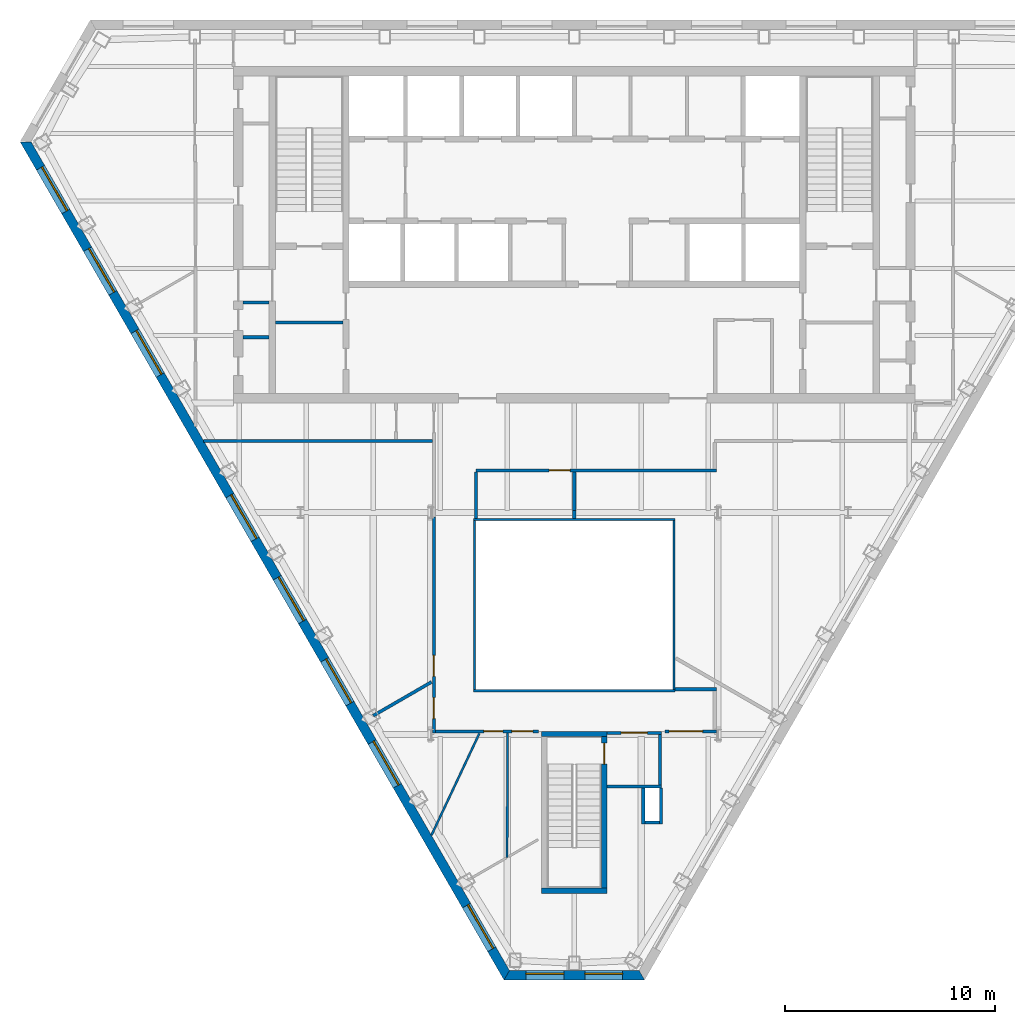
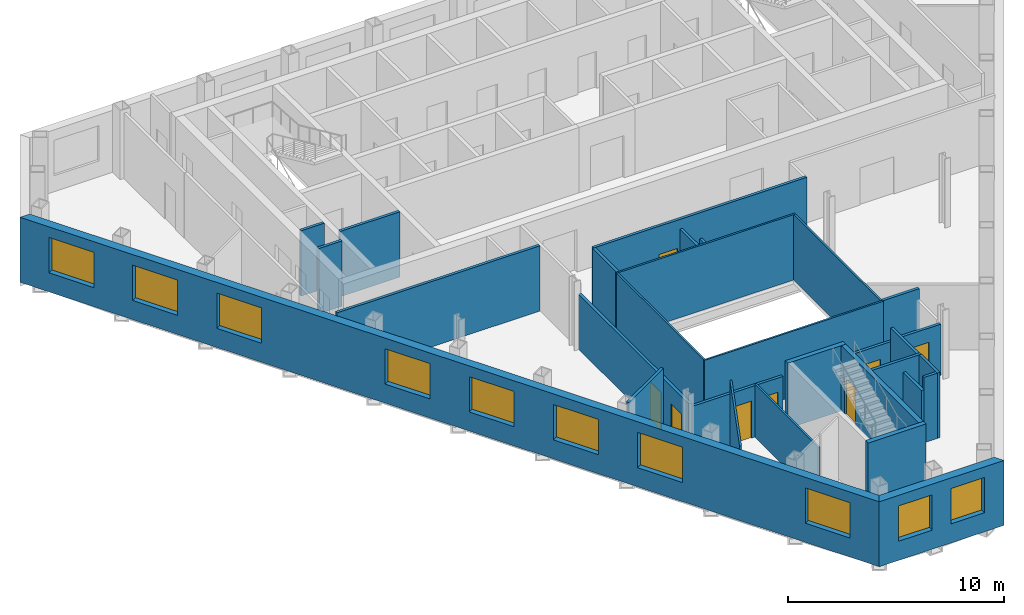
# One storey, part 4 of 10: 30 walls, 10 windows, 8 doors, 18 openings.
"""IFC4 building model written with IfcOpenShell, lengths in metres."""

from ifc_helpers import new_model, si_unit, direction, frame, frame_2d, origin, place, context, subcontext, project, spatial, polyline, rectangle, outline, extrude, material, layer, layer_set, type_object, element, fill, save


model = new_model("IFC4")

# Units and contexts
model_context = context("Model", 3, precision=1e-05, world=origin(), true_north=direction((0.0, 1.0)))
body_context = subcontext(model_context, "Body", "Model", "MODEL_VIEW")
ifc_project = project(units=[si_unit("LENGTHUNIT", "METRE"), si_unit("AREAUNIT", "SQUARE_METRE"), si_unit("VOLUMEUNIT", "CUBIC_METRE"), si_unit("PLANEANGLEUNIT", "RADIAN"), si_unit("MASSUNIT", "GRAM", prefix="KILO")], contexts=[model_context])

# Site, building, storey
site_placement = place(None, origin())
site = spatial("IfcSite", under=ifc_project, at=site_placement, CompositionType="ELEMENT")
building_placement = place(site_placement, origin())
building = spatial("IfcBuilding", under=site, at=building_placement, Name="Njiva Tower", CompositionType="ELEMENT")
storey_placement = place(building_placement, frame((0.0, 0.0, 227.7)))
storey = spatial("IfcBuildingStorey", under=building, at=storey_placement, Name="L51", CompositionType="ELEMENT", Elevation=227.7)

# Walls
ifc_material_1 = material(Name="Blockwork", Category="masonry")
ifc_layer_1 = layer(ifc_material_1, 0.15)
ifc_layer_set_1 = layer_set([ifc_layer_1], Name="Blockwork")
wall_type_1 = type_object("IfcWallType", Name="WT1 Compartment partition 150", PredefinedType="PARTITIONING", material=ifc_layer_set_1)
wall_1_placement = place(storey_placement, frame((-14.2, 5.825, 0.0), z_axis=(0.0, 0.0, 1.0), x_axis=(1.0, 0.0, 0.0)))
element("IfcWall", 1, at=wall_1_placement, inside=storey, type_object=wall_type_1, Name="Room wall A", PredefinedType="PARTITIONING", context=body_context, shape_type="SweptSolid", body=[
    extrude(rectangle(XDim=3.2, YDim=0.15, at=frame_2d((1.6, 0.0))), origin(), (0.0, 0.0, 1.0), 3.7),
])
wall_2_placement = place(storey_placement, frame((-15.75, 5.125, 0.0), z_axis=(0.0, 0.0, 1.0), x_axis=(1.0, 0.0, 0.0)))
element("IfcWall", 2, at=wall_2_placement, inside=storey, type_object=wall_type_1, Name="Partition strip W00", PredefinedType="PARTITIONING", context=body_context, shape_type="SweptSolid", body=[
    extrude(rectangle(XDim=1.25, YDim=0.15, at=frame_2d((0.625, 0.0))), origin(), (0.0, 0.0, 1.0), 3.7),
])
ifc_material_2 = material(Name="Gypsum board on steel studs", Category="gypsum")
ifc_layer_2 = layer(ifc_material_2, 0.1)
ifc_layer_set_2 = layer_set([ifc_layer_2], Name="Gypsum board on steel studs")
wall_type_2 = type_object("IfcWallType", Name="WT20 Gypsum partition 100", PredefinedType="PARTITIONING", material=ifc_layer_set_2)
wall_3_placement = place(storey_placement, frame((-6.789, -18.539, 0.0), z_axis=(0.0, 0.0, 1.0), x_axis=(0.425635061069, 0.904894908146, 0.0)))
element("IfcWall", 3, at=wall_3_placement, inside=storey, type_object=wall_type_2, Name="Partition S17-P008", PredefinedType="PARTITIONING", context=body_context, shape_type="SweptSolid", body=[
    extrude(rectangle(XDim=5.352, YDim=0.1, at=frame_2d((2.676, 0.0))), origin(), (0.0, 0.0, 1.0), 3.7),
])
wall_4_placement = place(storey_placement, frame((-3.192, -19.591, 0.0), z_axis=(0.0, 0.0, 1.0), x_axis=(0.003380643291, 0.999994285609, 0.0)))
element("IfcWall", 4, at=wall_4_placement, inside=storey, type_object=wall_type_2, Name="Partition S17-P014", PredefinedType="PARTITIONING", context=body_context, shape_type="SweptSolid", body=[
    extrude(rectangle(XDim=5.916, YDim=0.1, at=frame_2d((2.958, 0.0))), origin(), (0.0, 0.0, 1.0), 3.01),
])
ifc_layer_3 = layer(ifc_material_2, 0.15)
ifc_layer_set_3 = layer_set([ifc_layer_3], Name="Gypsum board on steel studs")
wall_type_3 = type_object("IfcWallType", Name="WT21 Compartment wall 150", PredefinedType="PARTITIONING", material=ifc_layer_set_3)
wall_5_placement = place(storey_placement, frame((-17.608, 0.2, 0.0), z_axis=(0.0, 0.0, 1.0), x_axis=(1.0, 0.0, 0.0)))
element("IfcWall", 5, at=wall_5_placement, inside=storey, type_object=wall_type_3, Name="Partition S17-P004", PredefinedType="PARTITIONING", context=body_context, shape_type="SweptSolid", body=[
    extrude(rectangle(XDim=10.863, YDim=0.15, at=frame_2d((5.4315, 0.0))), origin(), (0.0, 0.0, 1.0), 3.7),
])
wall_6_placement = place(storey_placement, frame((-9.552, -12.854, 0.0), z_axis=(0.0, 0.0, 1.0), x_axis=(0.865847012661, 0.500308855275, 0.0)))
element("IfcWall", 6, at=wall_6_placement, inside=storey, type_object=wall_type_3, Name="Partition S17-P006", PredefinedType="PARTITIONING", context=body_context, shape_type="SweptSolid", body=[
    extrude(rectangle(XDim=3.198, YDim=0.15, at=frame_2d((1.599, 0.0))), origin(), (0.0, 0.0, 1.0), 3.7),
])

# Wall, openings, doors
wall_7_placement = place(storey_placement, frame((-6.67, -13.675, 0.0), z_axis=(0.0, 0.0, 1.0), x_axis=(0.0, 1.0, 0.0)))
wall_7 = element("IfcWall", 7, at=wall_7_placement, inside=storey, type_object=wall_type_3, Name="Partition S17-P009", PredefinedType="PARTITIONING", context=body_context, shape_type="SweptSolid", body=[
    extrude(rectangle(XDim=10.263, YDim=0.15, at=frame_2d((5.1315, 0.0))), origin(), (0.0, 0.0, 1.0), 3.11),
])
opening_1_placement = place(wall_7_placement, frame((0.678, 0.0, 0.0)))
opening_1 = element("IfcOpeningElement", 8, at=opening_1_placement, cuts=wall_7, Name="Opening S17-D006", PredefinedType="OPENING", context=body_context, shape_type="SweptSolid", body=[
    extrude(rectangle(XDim=1.0, YDim=2.1, at=frame_2d((0.5, 1.05))), frame((0.0, 0.085, 0.0), z_axis=(0.0, -1.0, 0.0), x_axis=(1.0, 0.0, 0.0)), (0.0, 0.0, 1.0), 0.17),
])
opening_2_placement = place(wall_7_placement, frame((2.685, 0.0, 0.0)))
opening_2 = element("IfcOpeningElement", 9, at=opening_2_placement, cuts=wall_7, Name="Opening S17-D007", PredefinedType="OPENING", context=body_context, shape_type="SweptSolid", body=[
    extrude(rectangle(XDim=1.0, YDim=2.1, at=frame_2d((0.5, 1.05))), frame((0.0, 0.085, 0.0), z_axis=(0.0, -1.0, 0.0), x_axis=(1.0, 0.0, 0.0)), (0.0, 0.0, 1.0), 0.17),
])
ifc_material_3 = material(Name="Steel fire door set", Category="steel")
door_type_1 = type_object("IfcDoorType", Name="D37 Fire door 1000x2100", OperationType="SINGLE_SWING_LEFT", PredefinedType="DOOR", material=ifc_material_3)
door_1_placement = place(opening_1_placement, origin())
door_1 = element("IfcDoor", 10, at=door_1_placement, inside=storey, type_object=door_type_1, Name="Door S17-D006", OperationType="SINGLE_SWING_RIGHT", OverallHeight=2.1, OverallWidth=1.0, PredefinedType="DOOR", context=body_context, shape_type="SweptSolid", body=[
    extrude(rectangle(XDim=1.0, YDim=2.1, at=frame_2d((0.5, 1.05))), frame((0.0, 0.025, 0.0), z_axis=(0.0, -1.0, 0.0), x_axis=(1.0, 0.0, 0.0)), (0.0, 0.0, 1.0), 0.05),
])
fill(opening_1, door_1)
door_2_placement = place(opening_2_placement, origin())
door_2 = element("IfcDoor", 11, at=door_2_placement, inside=storey, type_object=door_type_1, Name="Door S17-D007", OperationType="SINGLE_SWING_RIGHT", OverallHeight=2.1, OverallWidth=1.0, PredefinedType="DOOR", context=body_context, shape_type="SweptSolid", body=[
    extrude(rectangle(XDim=1.0, YDim=2.1, at=frame_2d((0.5, 1.05))), frame((0.0, 0.025, 0.0), z_axis=(0.0, -1.0, 0.0), x_axis=(1.0, 0.0, 0.0)), (0.0, 0.0, 1.0), 0.05),
])
fill(opening_2, door_2)

wall_8_placement = place(storey_placement, frame((-6.595, -13.6, 0.0), z_axis=(0.0, 0.0, 1.0), x_axis=(1.0, 0.0, 0.0)))
wall_8 = element("IfcWall", 12, at=wall_8_placement, inside=storey, type_object=wall_type_3, Name="Partition S17-P010", PredefinedType="PARTITIONING", context=body_context, shape_type="SweptSolid", body=[
    extrude(rectangle(XDim=4.895, YDim=0.15, at=frame_2d((2.4475, 0.0))), origin(), (0.0, 0.0, 1.0), 2.91),
])
opening_3_placement = place(wall_8_placement, frame((2.297, 0.0, 0.0)))
opening_3 = element("IfcOpeningElement", 13, at=opening_3_placement, cuts=wall_8, Name="Opening S17-D009", PredefinedType="OPENING", context=body_context, shape_type="SweptSolid", body=[
    extrude(rectangle(XDim=0.9, YDim=2.1, at=frame_2d((0.45, 1.05))), frame((0.0, 0.085, 0.0), z_axis=(0.0, -1.0, 0.0), x_axis=(1.0, 0.0, 0.0)), (0.0, 0.0, 1.0), 0.17),
])
opening_4_placement = place(wall_8_placement, frame((3.623, 0.0, 0.0)))
opening_4 = element("IfcOpeningElement", 14, at=opening_4_placement, cuts=wall_8, Name="Opening S17-D010", PredefinedType="OPENING", context=body_context, shape_type="SweptSolid", body=[
    extrude(rectangle(XDim=1.0, YDim=2.1, at=frame_2d((0.5, 1.05))), frame((0.0, 0.085, 0.0), z_axis=(0.0, -1.0, 0.0), x_axis=(1.0, 0.0, 0.0)), (0.0, 0.0, 1.0), 0.17),
])
door_type_2 = type_object("IfcDoorType", Name="D36 Fire door 900x2100", OperationType="SINGLE_SWING_LEFT", PredefinedType="DOOR", material=ifc_material_3)
door_3_placement = place(opening_3_placement, origin())
door_3 = element("IfcDoor", 15, at=door_3_placement, inside=storey, type_object=door_type_2, Name="Door S17-D009", OperationType="SINGLE_SWING_RIGHT", OverallHeight=2.1, OverallWidth=0.9, PredefinedType="DOOR", context=body_context, shape_type="SweptSolid", body=[
    extrude(rectangle(XDim=0.9, YDim=2.1, at=frame_2d((0.45, 1.05))), frame((0.0, 0.025, 0.0), z_axis=(0.0, -1.0, 0.0), x_axis=(1.0, 0.0, 0.0)), (0.0, 0.0, 1.0), 0.05),
])
fill(opening_3, door_3)
door_4_placement = place(opening_4_placement, origin())
door_4 = element("IfcDoor", 16, at=door_4_placement, inside=storey, type_object=door_type_1, Name="Door S17-D010", OperationType="SINGLE_SWING_RIGHT", OverallHeight=2.1, OverallWidth=1.0, PredefinedType="DOOR", context=body_context, shape_type="SweptSolid", body=[
    extrude(rectangle(XDim=1.0, YDim=2.1, at=frame_2d((0.5, 1.05))), frame((0.0, 0.025, 0.0), z_axis=(0.0, -1.0, 0.0), x_axis=(1.0, 0.0, 0.0)), (0.0, 0.0, 1.0), 0.05),
])
fill(opening_4, door_4)

# Wall, opening, door
wall_9_placement = place(storey_placement, frame((-4.681, -1.2, 0.0), z_axis=(0.0, 0.0, 1.0), x_axis=(1.0, 0.0, 0.0)))
wall_9 = element("IfcWall", 17, at=wall_9_placement, inside=storey, type_object=wall_type_3, Name="Partition S17-P012", PredefinedType="PARTITIONING", context=body_context, shape_type="SweptSolid", body=[
    extrude(rectangle(XDim=11.426, YDim=0.15, at=frame_2d((5.713, 0.0))), origin(), (0.0, 0.0, 1.0), 3.7),
])
opening_5_placement = place(wall_9_placement, frame((3.481, 0.0, 0.0)))
opening_5 = element("IfcOpeningElement", 18, at=opening_5_placement, cuts=wall_9, Name="Opening S17-D011", PredefinedType="OPENING", context=body_context, shape_type="SweptSolid", body=[
    extrude(rectangle(XDim=1.0, YDim=2.1, at=frame_2d((0.5, 1.05))), frame((0.0, 0.085, 0.0), z_axis=(0.0, -1.0, 0.0), x_axis=(1.0, 0.0, 0.0)), (0.0, 0.0, 1.0), 0.17),
])
door_5_placement = place(opening_5_placement, origin())
door_5 = element("IfcDoor", 19, at=door_5_placement, inside=storey, type_object=door_type_1, Name="Door S17-D011", OperationType="SINGLE_SWING_LEFT", OverallHeight=2.1, OverallWidth=1.0, PredefinedType="DOOR", context=body_context, shape_type="SweptSolid", body=[
    extrude(rectangle(XDim=1.0, YDim=2.1, at=frame_2d((0.5, 1.05))), frame((0.0, 0.025, 0.0), z_axis=(0.0, -1.0, 0.0), x_axis=(1.0, 0.0, 0.0)), (0.0, 0.0, 1.0), 0.05),
])
fill(opening_5, door_5)

# Walls
wall_10_placement = place(storey_placement, frame((-4.67, -3.48, 0.0), z_axis=(0.0, 0.0, 1.0), x_axis=(0.000453514693, 0.999999897162, 0.0)))
element("IfcWall", 20, at=wall_10_placement, inside=storey, type_object=wall_type_3, Name="Partition S17-P013", PredefinedType="PARTITIONING", context=body_context, shape_type="SweptSolid", body=[
    extrude(rectangle(XDim=2.205, YDim=0.15, at=frame_2d((1.1025, 0.0))), origin(), (0.0, 0.0, 1.0), 3.7),
])
wall_11_placement = place(storey_placement, frame((-0.001, -3.48, 0.0), z_axis=(0.0, 0.0, 1.0), x_axis=(0.000526315717, 0.999999861496, 0.0)))
element("IfcWall", 21, at=wall_11_placement, inside=storey, type_object=wall_type_3, Name="Partition S17-P016", PredefinedType="PARTITIONING", context=body_context, shape_type="SweptSolid", body=[
    extrude(rectangle(XDim=0.38, YDim=0.15, at=frame_2d((0.19, 0.0))), origin(), (0.0, 0.0, 1.0), 3.7),
])
wall_12_placement = place(storey_placement, frame((-0.0008, -3.1, 0.0), z_axis=(0.0, 0.0, 1.0), x_axis=(0.000438356122, 0.999999903922, 0.0)))
element("IfcWall", 22, at=wall_12_placement, inside=storey, type_object=wall_type_3, Name="Partition S17-P016A", PredefinedType="PARTITIONING", context=body_context, shape_type="SweptSolid", body=[
    extrude(rectangle(XDim=1.825, YDim=0.15, at=frame_2d((0.9125, 0.0))), origin(), (0.0, 0.0, 1.0), 3.15),
])

# Wall, opening, door
wall_13_placement = place(storey_placement, frame((4.3, -13.6, 0.0), z_axis=(0.0, 0.0, 1.0), x_axis=(1.0, 0.0, 0.0)))
wall_13 = element("IfcWall", 23, at=wall_13_placement, inside=storey, type_object=wall_type_3, Name="Partition S17-P017", PredefinedType="PARTITIONING", context=body_context, shape_type="SweptSolid", body=[
    extrude(rectangle(XDim=2.445, YDim=0.15, at=frame_2d((1.2225, 0.0))), origin(), (0.0, 0.0, 1.0), 2.91),
])
opening_6_placement = place(wall_13_placement, frame((0.2, 0.0, 0.0)))
opening_6 = element("IfcOpeningElement", 24, at=opening_6_placement, cuts=wall_13, Name="Opening S17-D012", PredefinedType="OPENING", context=body_context, shape_type="SweptSolid", body=[
    extrude(rectangle(XDim=1.6, YDim=2.1, at=frame_2d((0.8, 1.05))), frame((0.0, 0.085, 0.0), z_axis=(0.0, -1.0, 0.0), x_axis=(1.0, 0.0, 0.0)), (0.0, 0.0, 1.0), 0.17),
])
door_type_3 = type_object("IfcDoorType", Name="D43 Fire door 1600x2100", OperationType="DOUBLE_DOOR_SINGLE_SWING", PredefinedType="DOOR", material=ifc_material_3)
door_6_placement = place(opening_6_placement, origin())
door_6 = element("IfcDoor", 25, at=door_6_placement, inside=storey, type_object=door_type_3, Name="Door S17-D012", OperationType="DOUBLE_DOOR_SINGLE_SWING", OverallHeight=2.1, OverallWidth=1.6, PredefinedType="DOOR", context=body_context, shape_type="SweptSolid", body=[
    extrude(rectangle(XDim=1.6, YDim=2.1, at=frame_2d((0.8, 1.05))), frame((0.0, 0.025, 0.0), z_axis=(0.0, -1.0, 0.0), x_axis=(1.0, 0.0, 0.0)), (0.0, 0.0, 1.0), 0.05),
])
fill(opening_6, door_6)

# Walls
wall_14_placement = place(storey_placement, frame((4.79, -11.6, 0.0), z_axis=(0.0, 0.0, 1.0), x_axis=(1.0, 0.0, 0.0)))
element("IfcWall", 26, at=wall_14_placement, inside=storey, type_object=wall_type_3, Name="Partition S17-P018", PredefinedType="PARTITIONING", context=body_context, shape_type="SweptSolid", body=[
    extrude(rectangle(XDim=1.955, YDim=0.15, at=frame_2d((0.9775, 0.0))), origin(), (0.0, 0.0, 1.0), 3.7),
])
ifc_layer_4 = layer(ifc_material_1, 0.15)
ifc_layer_set_4 = layer_set([ifc_layer_4], Name="Blockwork")
wall_type_4 = type_object("IfcWallType", Name="WT4 Stair partition 150", PredefinedType="PARTITIONING", material=ifc_layer_set_4)
wall_15_placement = place(storey_placement, frame((-15.75, 6.775, 0.0), z_axis=(0.0, 0.0, 1.0), x_axis=(1.0, 0.0, 0.0)))
element("IfcWall", 27, at=wall_15_placement, inside=storey, type_object=wall_type_4, Name="Stair A exit passage wall south", PredefinedType="PARTITIONING", context=body_context, shape_type="SweptSolid", body=[
    extrude(rectangle(XDim=1.25, YDim=0.15, at=frame_2d((0.625, 0.0))), origin(), (0.0, 0.0, 1.0), 3.7),
])
wall_16_placement = place(storey_placement, frame((1.55, -16.225, 0.0), z_axis=(0.0, 0.0, 1.0), x_axis=(1.0, 0.0, 0.0)))
element("IfcWall", 28, at=wall_16_placement, inside=storey, type_object=wall_type_4, Name="Stair C vestibule wall south", PredefinedType="PARTITIONING", context=body_context, shape_type="SweptSolid", body=[
    extrude(rectangle(XDim=2.6, YDim=0.15, at=frame_2d((1.3, 0.0))), origin(), (0.0, 0.0, 1.0), 3.7),
])
wall_17_placement = place(storey_placement, frame((4.075, -16.15, 0.0), z_axis=(0.0, 0.0, 1.0), x_axis=(0.0, 1.0, 0.0)))
element("IfcWall", 29, at=wall_17_placement, inside=storey, type_object=wall_type_4, Name="Stair C vestibule wall east", PredefinedType="PARTITIONING", context=body_context, shape_type="SweptSolid", body=[
    extrude(rectangle(XDim=2.4, YDim=0.15, at=frame_2d((1.2, 0.0))), origin(), (0.0, 0.0, 1.0), 3.7),
])

# Wall, opening, door
wall_18_placement = place(storey_placement, frame((1.55, -13.675, 0.0), z_axis=(0.0, 0.0, 1.0), x_axis=(1.0, 0.0, 0.0)))
wall_18 = element("IfcWall", 30, at=wall_18_placement, inside=storey, type_object=wall_type_4, Name="Stair C vestibule wall north", PredefinedType="PARTITIONING", context=body_context, shape_type="SweptSolid", body=[
    extrude(rectangle(XDim=2.6, YDim=0.15, at=frame_2d((1.3, 0.0))), origin(), (0.0, 0.0, 1.0), 2.91),
])
opening_7_placement = place(wall_18_placement, frame((0.675, 0.0, 0.0)))
opening_7 = element("IfcOpeningElement", 31, at=opening_7_placement, cuts=wall_18, Name="Opening S17-D939", PredefinedType="OPENING", context=body_context, shape_type="SweptSolid", body=[
    extrude(rectangle(XDim=1.25, YDim=2.1, at=frame_2d((0.625, 1.05))), frame((0.0, 0.085, 0.0), z_axis=(0.0, -1.0, 0.0), x_axis=(1.0, 0.0, 0.0)), (0.0, 0.0, 1.0), 0.17),
])
ifc_material_4 = material(Name="Glazed steel fire door", Category="steel")
door_type_4 = type_object("IfcDoorType", Name="D8 Vestibule corridor door 1250x2100 glazed", OperationType="SINGLE_SWING_LEFT", PredefinedType="DOOR", material=ifc_material_4)
door_7_placement = place(opening_7_placement, origin())
door_7 = element("IfcDoor", 32, at=door_7_placement, inside=storey, type_object=door_type_4, Name="Stair vestibule corridor door", OperationType="SINGLE_SWING_RIGHT", OverallHeight=2.1, OverallWidth=1.25, PredefinedType="DOOR", context=body_context, shape_type="SweptSolid", body=[
    extrude(rectangle(XDim=1.25, YDim=2.1, at=frame_2d((0.625, 1.05))), frame((0.0, 0.025, 0.0), z_axis=(0.0, -1.0, 0.0), x_axis=(1.0, 0.0, 0.0)), (0.0, 0.0, 1.0), 0.05),
])
fill(opening_7, door_7)

# Walls
wall_19_placement = place(storey_placement, frame((3.275, -18.0, 0.0), z_axis=(0.0, 0.0, 1.0), x_axis=(0.0, 1.0, 0.0)))
element("IfcWall", 33, at=wall_19_placement, inside=storey, type_object=wall_type_4, Name="Stair C pressurisation shaft wall", PredefinedType="PARTITIONING", context=body_context, shape_type="SweptSolid", body=[
    extrude(rectangle(XDim=1.7, YDim=0.15, at=frame_2d((0.85, 0.0))), origin(), (0.0, 0.0, 1.0), 3.01),
])
wall_20_placement = place(storey_placement, frame((3.35, -17.925, 0.0), z_axis=(0.0, 0.0, 1.0), x_axis=(1.0, 0.0, 0.0)))
element("IfcWall", 34, at=wall_20_placement, inside=storey, type_object=wall_type_4, Name="Stair C pressurisation shaft wall", PredefinedType="PARTITIONING", context=body_context, shape_type="SweptSolid", body=[
    extrude(rectangle(XDim=0.7, YDim=0.15, at=frame_2d((0.35, 0.0))), origin(), (0.0, 0.0, 1.0), 3.7),
])
wall_21_placement = place(storey_placement, frame((4.125, -18.0, 0.0), z_axis=(0.0, 0.0, 1.0), x_axis=(0.0, 1.0, 0.0)))
element("IfcWall", 35, at=wall_21_placement, inside=storey, type_object=wall_type_4, Name="Stair C pressurisation shaft wall", PredefinedType="PARTITIONING", context=body_context, shape_type="SweptSolid", body=[
    extrude(rectangle(XDim=1.7, YDim=0.15, at=frame_2d((0.85, 0.0))), origin(), (0.0, 0.0, 1.0), 3.7),
])

# Wall, opening, door
ifc_material_5 = material(Name="Concrete C40/50", Category="concrete")
ifc_layer_5 = layer(ifc_material_5, 0.25)
ifc_layer_set_5 = layer_set([ifc_layer_5], Name="Concrete C40/50")
wall_type_5 = type_object("IfcWallType", Name="WT9 Stair enclosure wall 250", PredefinedType="SHEAR", material=ifc_layer_set_5)
wall_22_placement = place(storey_placement, frame((1.425, -21.05, 0.0), z_axis=(0.0, 0.0, 1.0), x_axis=(0.0, 1.0, 0.0)))
wall_22 = element("IfcWall", 36, at=wall_22_placement, inside=storey, type_object=wall_type_5, Name="Stair C wall east", PredefinedType="SHEAR", context=body_context, shape_type="SweptSolid", body=[
    extrude(rectangle(XDim=7.2, YDim=0.25, at=frame_2d((3.6, 0.0))), origin(), (0.0, 0.0, 1.0), 3.7),
])
opening_8_placement = place(wall_22_placement, frame((5.89, 0.0, 0.0)))
opening_8 = element("IfcOpeningElement", 37, at=opening_8_placement, cuts=wall_22, Name="Opening S17-D938", PredefinedType="OPENING", context=body_context, shape_type="SweptSolid", body=[
    extrude(rectangle(XDim=1.0, YDim=2.1, at=frame_2d((0.5, 1.05))), frame((0.0, 0.135, 0.0), z_axis=(0.0, -1.0, 0.0), x_axis=(1.0, 0.0, 0.0)), (0.0, 0.0, 1.0), 0.27),
])
door_type_5 = type_object("IfcDoorType", Name="D9 Stair vestibule door 1000x2100 glazed", OperationType="SINGLE_SWING_LEFT", PredefinedType="DOOR", material=ifc_material_4)
door_8_placement = place(opening_8_placement, origin())
door_8 = element("IfcDoor", 38, at=door_8_placement, inside=storey, type_object=door_type_5, Name="Stair C door", OperationType="SINGLE_SWING_LEFT", OverallHeight=2.1, OverallWidth=1.0, PredefinedType="DOOR", context=body_context, shape_type="SweptSolid", body=[
    extrude(rectangle(XDim=1.0, YDim=2.1, at=frame_2d((0.5, 1.05))), frame((0.0, 0.025, 0.0), z_axis=(0.0, -1.0, 0.0), x_axis=(1.0, 0.0, 0.0)), (0.0, 0.0, 1.0), 0.05),
])
fill(opening_8, door_8)

# Walls
for number, where, z_axis, x_axis, name in (
    (39, (-1.55, -21.175, 0.0), (0.0, 0.0, 1.0), (1.0, 0.0, 0.0), "Stair C wall south"),
    (40, (-1.55, -13.725, 0.0), (0.0, 0.0, 1.0), (1.0, 0.0, 0.0), "Stair C wall north"),
):
    element("IfcWall", number, at=place(storey_placement, frame(where, z_axis=z_axis, x_axis=x_axis)), inside=storey, type_object=wall_type_5, Name=name, PredefinedType="SHEAR", context=body_context, shape_type="SweptSolid", body=[
        extrude(rectangle(XDim=3.1, YDim=0.25, at=frame_2d((1.55, 0.0))), origin(), (0.0, 0.0, 1.0), 3.7),
    ])

# Wall, openings, windows
ifc_material_6 = material(Name="Brick masonry", Category="masonry")
ifc_layer_6 = layer(ifc_material_6, 0.45)
ifc_layer_set_6 = layer_set([ifc_layer_6], Name="Brick masonry")
wall_type_6 = type_object("IfcWallType", Name="WT90 Brick pier and spandrel wall 450", PredefinedType="SOLIDWALL", material=ifc_layer_set_6)
wall_23_placement = place(storey_placement, frame((-26.0752, 14.415, -0.18), z_axis=(0.0, 0.0, 1.0), x_axis=(0.499999194392, -0.866025868902, 0.0)))
wall_23 = element("IfcWall", 41, at=wall_23_placement, inside=storey, type_object=wall_type_6, Name="Facade wall SW", PredefinedType="SOLIDWALL", context=body_context, shape_type="SweptSolid", body=[
    extrude(outline(polyline([(-0.1299, -0.225), (45.8602, -0.225), (45.6004, 0.225), (0.1299, 0.225), (-0.1299, -0.225)])), origin(), (0.0, 0.0, 1.0), 3.68),
])
opening_9_placement = place(wall_23_placement, frame((1.4237, 0.0, 1.08)))
opening_9 = element("IfcOpeningElement", 42, at=opening_9_placement, cuts=wall_23, Name="Opening S17-W11", PredefinedType="OPENING", context=body_context, shape_type="SweptSolid", body=[
    extrude(rectangle(XDim=2.4, YDim=2.0, at=frame_2d((1.2, 1.0))), frame((0.0, 0.235, 0.0), z_axis=(0.0, -1.0, 0.0), x_axis=(1.0, 0.0, 0.0)), (0.0, 0.0, 1.0), 0.47),
])
opening_10_placement = place(wall_23_placement, frame((5.8919, 0.0, 1.08)))
opening_10 = element("IfcOpeningElement", 43, at=opening_10_placement, cuts=wall_23, Name="Opening S17-W12", PredefinedType="OPENING", context=body_context, shape_type="SweptSolid", body=[
    extrude(rectangle(XDim=2.4, YDim=2.0, at=frame_2d((1.2, 1.0))), frame((0.0, 0.235, 0.0), z_axis=(0.0, -1.0, 0.0), x_axis=(1.0, 0.0, 0.0)), (0.0, 0.0, 1.0), 0.47),
])
opening_11_placement = place(wall_23_placement, frame((10.3985, 0.0, 1.08)))
opening_11 = element("IfcOpeningElement", 44, at=opening_11_placement, cuts=wall_23, Name="Opening S17-W13", PredefinedType="OPENING", context=body_context, shape_type="SweptSolid", body=[
    extrude(rectangle(XDim=2.4, YDim=2.0, at=frame_2d((1.2, 1.0))), frame((0.0, 0.235, 0.0), z_axis=(0.0, -1.0, 0.0), x_axis=(1.0, 0.0, 0.0)), (0.0, 0.0, 1.0), 0.47),
])
opening_12_placement = place(wall_23_placement, frame((19.4118, 0.0, 1.08)))
opening_12 = element("IfcOpeningElement", 45, at=opening_12_placement, cuts=wall_23, Name="Opening S17-W14", PredefinedType="OPENING", context=body_context, shape_type="SweptSolid", body=[
    extrude(rectangle(XDim=2.4, YDim=2.0, at=frame_2d((1.2, 1.0))), frame((0.0, 0.235, 0.0), z_axis=(0.0, -1.0, 0.0), x_axis=(1.0, 0.0, 0.0)), (0.0, 0.0, 1.0), 0.47),
])
opening_13_placement = place(wall_23_placement, frame((23.9184, 0.0, 1.08)))
opening_13 = element("IfcOpeningElement", 46, at=opening_13_placement, cuts=wall_23, Name="Opening S17-W15", PredefinedType="OPENING", context=body_context, shape_type="SweptSolid", body=[
    extrude(rectangle(XDim=2.4, YDim=2.0, at=frame_2d((1.2, 1.0))), frame((0.0, 0.235, 0.0), z_axis=(0.0, -1.0, 0.0), x_axis=(1.0, 0.0, 0.0)), (0.0, 0.0, 1.0), 0.47),
])
opening_14_placement = place(wall_23_placement, frame((28.425, 0.0, 1.08)))
opening_14 = element("IfcOpeningElement", 47, at=opening_14_placement, cuts=wall_23, Name="Opening S17-W16", PredefinedType="OPENING", context=body_context, shape_type="SweptSolid", body=[
    extrude(rectangle(XDim=2.4, YDim=2.0, at=frame_2d((1.2, 1.0))), frame((0.0, 0.235, 0.0), z_axis=(0.0, -1.0, 0.0), x_axis=(1.0, 0.0, 0.0)), (0.0, 0.0, 1.0), 0.47),
])
opening_15_placement = place(wall_23_placement, frame((32.9316, 0.0, 1.08)))
opening_15 = element("IfcOpeningElement", 48, at=opening_15_placement, cuts=wall_23, Name="Opening S17-W17", PredefinedType="OPENING", context=body_context, shape_type="SweptSolid", body=[
    extrude(rectangle(XDim=2.4, YDim=2.0, at=frame_2d((1.2, 1.0))), frame((0.0, 0.235, 0.0), z_axis=(0.0, -1.0, 0.0), x_axis=(1.0, 0.0, 0.0)), (0.0, 0.0, 1.0), 0.47),
])
opening_16_placement = place(wall_23_placement, frame((41.9065, 0.0, 1.08)))
opening_16 = element("IfcOpeningElement", 49, at=opening_16_placement, cuts=wall_23, Name="Opening S17-W18", PredefinedType="OPENING", context=body_context, shape_type="SweptSolid", body=[
    extrude(rectangle(XDim=2.4, YDim=2.0, at=frame_2d((1.2, 1.0))), frame((0.0, 0.235, 0.0), z_axis=(0.0, -1.0, 0.0), x_axis=(1.0, 0.0, 0.0)), (0.0, 0.0, 1.0), 0.47),
])
ifc_material_7 = material(Name="Clear glazing in aluminium frame", Category="aluminium")
window_type_1 = type_object("IfcWindowType", Name="W90 Deep-set window 2400x2000", PartitioningType="SINGLE_PANEL", PredefinedType="WINDOW", material=ifc_material_7)
window_1_placement = place(opening_9_placement, origin())
window_1 = element("IfcWindow", 50, at=window_1_placement, inside=storey, type_object=window_type_1, Name="Window", OverallHeight=2.0, OverallWidth=2.4, PartitioningType="SINGLE_PANEL", PredefinedType="WINDOW", context=body_context, shape_type="SweptSolid", body=[
    extrude(rectangle(XDim=2.4, YDim=2.0, at=frame_2d((1.2, 1.0))), frame((0.0, 0.105, 0.0), z_axis=(0.0, -1.0, 0.0), x_axis=(1.0, 0.0, 0.0)), (0.0, 0.0, 1.0), 0.06),
])
fill(opening_9, window_1)
window_2_placement = place(opening_10_placement, origin())
window_2 = element("IfcWindow", 51, at=window_2_placement, inside=storey, type_object=window_type_1, Name="Window", OverallHeight=2.0, OverallWidth=2.4, PartitioningType="SINGLE_PANEL", PredefinedType="WINDOW", context=body_context, shape_type="SweptSolid", body=[
    extrude(rectangle(XDim=2.4, YDim=2.0, at=frame_2d((1.2, 1.0))), frame((0.0, 0.105, 0.0), z_axis=(0.0, -1.0, 0.0), x_axis=(1.0, 0.0, 0.0)), (0.0, 0.0, 1.0), 0.06),
])
fill(opening_10, window_2)
window_3_placement = place(opening_11_placement, origin())
window_3 = element("IfcWindow", 52, at=window_3_placement, inside=storey, type_object=window_type_1, Name="Window", OverallHeight=2.0, OverallWidth=2.4, PartitioningType="SINGLE_PANEL", PredefinedType="WINDOW", context=body_context, shape_type="SweptSolid", body=[
    extrude(rectangle(XDim=2.4, YDim=2.0, at=frame_2d((1.2, 1.0))), frame((0.0, 0.105, 0.0), z_axis=(0.0, -1.0, 0.0), x_axis=(1.0, 0.0, 0.0)), (0.0, 0.0, 1.0), 0.06),
])
fill(opening_11, window_3)
window_4_placement = place(opening_12_placement, origin())
window_4 = element("IfcWindow", 53, at=window_4_placement, inside=storey, type_object=window_type_1, Name="Window", OverallHeight=2.0, OverallWidth=2.4, PartitioningType="SINGLE_PANEL", PredefinedType="WINDOW", context=body_context, shape_type="SweptSolid", body=[
    extrude(rectangle(XDim=2.4, YDim=2.0, at=frame_2d((1.2, 1.0))), frame((0.0, 0.105, 0.0), z_axis=(0.0, -1.0, 0.0), x_axis=(1.0, 0.0, 0.0)), (0.0, 0.0, 1.0), 0.06),
])
fill(opening_12, window_4)
window_5_placement = place(opening_13_placement, origin())
window_5 = element("IfcWindow", 54, at=window_5_placement, inside=storey, type_object=window_type_1, Name="Window", OverallHeight=2.0, OverallWidth=2.4, PartitioningType="SINGLE_PANEL", PredefinedType="WINDOW", context=body_context, shape_type="SweptSolid", body=[
    extrude(rectangle(XDim=2.4, YDim=2.0, at=frame_2d((1.2, 1.0))), frame((0.0, 0.105, 0.0), z_axis=(0.0, -1.0, 0.0), x_axis=(1.0, 0.0, 0.0)), (0.0, 0.0, 1.0), 0.06),
])
fill(opening_13, window_5)
window_6_placement = place(opening_14_placement, origin())
window_6 = element("IfcWindow", 55, at=window_6_placement, inside=storey, type_object=window_type_1, Name="Window", OverallHeight=2.0, OverallWidth=2.4, PartitioningType="SINGLE_PANEL", PredefinedType="WINDOW", context=body_context, shape_type="SweptSolid", body=[
    extrude(rectangle(XDim=2.4, YDim=2.0, at=frame_2d((1.2, 1.0))), frame((0.0, 0.105, 0.0), z_axis=(0.0, -1.0, 0.0), x_axis=(1.0, 0.0, 0.0)), (0.0, 0.0, 1.0), 0.06),
])
fill(opening_14, window_6)
window_7_placement = place(opening_15_placement, origin())
window_7 = element("IfcWindow", 56, at=window_7_placement, inside=storey, type_object=window_type_1, Name="Window", OverallHeight=2.0, OverallWidth=2.4, PartitioningType="SINGLE_PANEL", PredefinedType="WINDOW", context=body_context, shape_type="SweptSolid", body=[
    extrude(rectangle(XDim=2.4, YDim=2.0, at=frame_2d((1.2, 1.0))), frame((0.0, 0.105, 0.0), z_axis=(0.0, -1.0, 0.0), x_axis=(1.0, 0.0, 0.0)), (0.0, 0.0, 1.0), 0.06),
])
fill(opening_15, window_7)
window_8_placement = place(opening_16_placement, origin())
window_8 = element("IfcWindow", 57, at=window_8_placement, inside=storey, type_object=window_type_1, Name="Window", OverallHeight=2.0, OverallWidth=2.4, PartitioningType="SINGLE_PANEL", PredefinedType="WINDOW", context=body_context, shape_type="SweptSolid", body=[
    extrude(rectangle(XDim=2.4, YDim=2.0, at=frame_2d((1.2, 1.0))), frame((0.0, 0.105, 0.0), z_axis=(0.0, -1.0, 0.0), x_axis=(1.0, 0.0, 0.0)), (0.0, 0.0, 1.0), 0.06),
])
fill(opening_16, window_8)

ifc_material_8 = material(Name="Brick masonry, buff", Category="masonry")
ifc_layer_7 = layer(ifc_material_8, 0.45)
ifc_layer_set_7 = layer_set([ifc_layer_7], Name="Brick masonry, buff")
wall_type_7 = type_object("IfcWallType", Name="WT94 Brick pier and spandrel wall 450, buff", PredefinedType="SOLIDWALL", material=ifc_layer_set_7)
wall_24_placement = place(storey_placement, frame((-3.2101, -25.1886, -0.18), z_axis=(0.0, 0.0, 1.0), x_axis=(1.0, 0.0, 0.0)))
wall_24 = element("IfcWall", 58, at=wall_24_placement, inside=storey, type_object=wall_type_7, Name="Facade wall S", PredefinedType="SOLIDWALL", context=body_context, shape_type="SweptSolid", body=[
    extrude(outline(polyline([(-0.1299, -0.225), (6.5501, -0.225), (6.2903, 0.225), (0.1299, 0.225), (-0.1299, -0.225)])), origin(), (0.0, 0.0, 1.0), 3.68),
])
opening_17_placement = place(wall_24_placement, frame((0.9094, 0.0, 1.08)))
opening_17 = element("IfcOpeningElement", 59, at=opening_17_placement, cuts=wall_24, Name="Opening S17-W19", PredefinedType="OPENING", context=body_context, shape_type="SweptSolid", body=[
    extrude(rectangle(XDim=1.8, YDim=2.0, at=frame_2d((0.9, 1.0))), frame((0.0, 0.235, 0.0), z_axis=(0.0, -1.0, 0.0), x_axis=(1.0, 0.0, 0.0)), (0.0, 0.0, 1.0), 0.47),
])
opening_18_placement = place(wall_24_placement, frame((3.7107, 0.0, 1.08)))
opening_18 = element("IfcOpeningElement", 60, at=opening_18_placement, cuts=wall_24, Name="Opening S17-W20", PredefinedType="OPENING", context=body_context, shape_type="SweptSolid", body=[
    extrude(rectangle(XDim=1.8, YDim=2.0, at=frame_2d((0.9, 1.0))), frame((0.0, 0.235, 0.0), z_axis=(0.0, -1.0, 0.0), x_axis=(1.0, 0.0, 0.0)), (0.0, 0.0, 1.0), 0.47),
])
window_type_2 = type_object("IfcWindowType", Name="W94 Deep-set window 1800x2000", PartitioningType="SINGLE_PANEL", PredefinedType="WINDOW", material=ifc_material_7)
window_9_placement = place(opening_17_placement, origin())
window_9 = element("IfcWindow", 61, at=window_9_placement, inside=storey, type_object=window_type_2, Name="Window", OverallHeight=2.0, OverallWidth=1.8, PartitioningType="SINGLE_PANEL", PredefinedType="WINDOW", context=body_context, shape_type="SweptSolid", body=[
    extrude(rectangle(XDim=1.8, YDim=2.0, at=frame_2d((0.9, 1.0))), frame((0.0, 0.105, 0.0), z_axis=(0.0, -1.0, 0.0), x_axis=(1.0, 0.0, 0.0)), (0.0, 0.0, 1.0), 0.06),
])
fill(opening_17, window_9)
window_10_placement = place(opening_18_placement, origin())
window_10 = element("IfcWindow", 62, at=window_10_placement, inside=storey, type_object=window_type_2, Name="Window", OverallHeight=2.0, OverallWidth=1.8, PartitioningType="SINGLE_PANEL", PredefinedType="WINDOW", context=body_context, shape_type="SweptSolid", body=[
    extrude(rectangle(XDim=1.8, YDim=2.0, at=frame_2d((0.9, 1.0))), frame((0.0, 0.105, 0.0), z_axis=(0.0, -1.0, 0.0), x_axis=(1.0, 0.0, 0.0)), (0.0, 0.0, 1.0), 0.06),
])
fill(opening_18, window_10)

# Walls
ifc_material_9 = material(Name="Fire-resisting glazing EI 90", Category="glass")
ifc_layer_8 = layer(ifc_material_9, 0.1)
ifc_layer_set_8 = layer_set([ifc_layer_8], Name="Fire-resisting glazing EI 90")
wall_type_8 = type_object("IfcWallType", Name="WT95 Fire-resisting glazed screen EI 90", PredefinedType="PARTITIONING", material=ifc_layer_set_8)
wall_25_placement = place(storey_placement, frame((-4.79, -11.67, 0.0), z_axis=(0.0, 0.0, 1.0), x_axis=(1.0, 0.0, 0.0)))
element("IfcWall", 63, at=wall_25_placement, inside=storey, type_object=wall_type_8, Name="Atrium fire screen south", PredefinedType="PARTITIONING", context=body_context, shape_type="SweptSolid", body=[
    extrude(rectangle(XDim=9.58, YDim=0.1, at=frame_2d((4.79, 0.0))), origin(), (0.0, 0.0, 1.0), 3.7),
])
wall_26_placement = place(storey_placement, frame((4.74, -11.62, 0.0), z_axis=(0.0, 0.0, 1.0), x_axis=(0.0, 1.0, 0.0)))
element("IfcWall", 64, at=wall_26_placement, inside=storey, type_object=wall_type_8, Name="Atrium fire screen east", PredefinedType="PARTITIONING", context=body_context, shape_type="SweptSolid", body=[
    extrude(rectangle(XDim=8.04, YDim=0.1, at=frame_2d((4.02, 0.0))), origin(), (0.0, 0.0, 1.0), 3.7),
])
wall_27_placement = place(storey_placement, frame((4.79, -3.53, 0.0), z_axis=(0.0, 0.0, 1.0), x_axis=(-1.0, 0.0, 0.0)))
element("IfcWall", 65, at=wall_27_placement, inside=storey, type_object=wall_type_8, Name="Atrium fire screen north", PredefinedType="PARTITIONING", context=body_context, shape_type="SweptSolid", body=[
    extrude(rectangle(XDim=9.58, YDim=0.1, at=frame_2d((4.79, 0.0))), origin(), (0.0, 0.0, 1.0), 3.7),
])
wall_28_placement = place(storey_placement, frame((-4.74, -3.58, 0.0), z_axis=(0.0, 0.0, 1.0), x_axis=(0.0, -1.0, 0.0)))
element("IfcWall", 66, at=wall_28_placement, inside=storey, type_object=wall_type_8, Name="Atrium fire screen west", PredefinedType="PARTITIONING", context=body_context, shape_type="SweptSolid", body=[
    extrude(rectangle(XDim=8.04, YDim=0.1, at=frame_2d((4.02, 0.0))), origin(), (0.0, 0.0, 1.0), 3.7),
])

save(model, "model.ifc")
